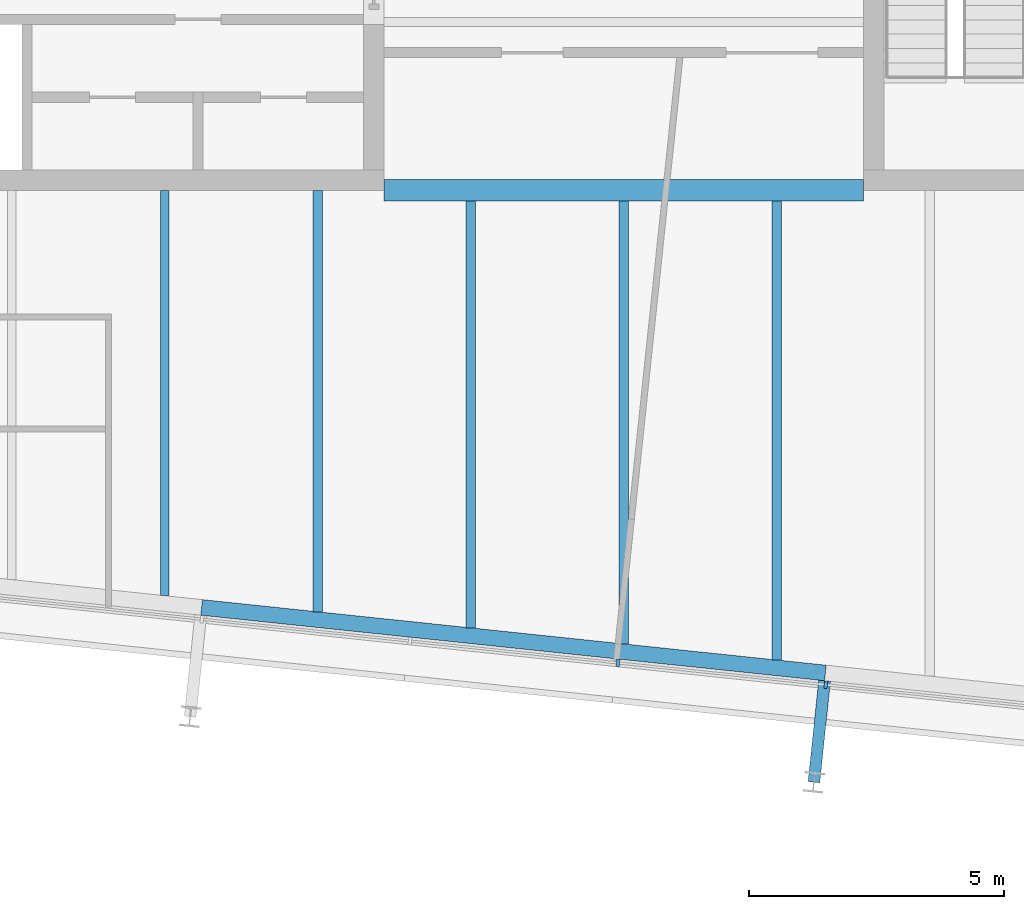
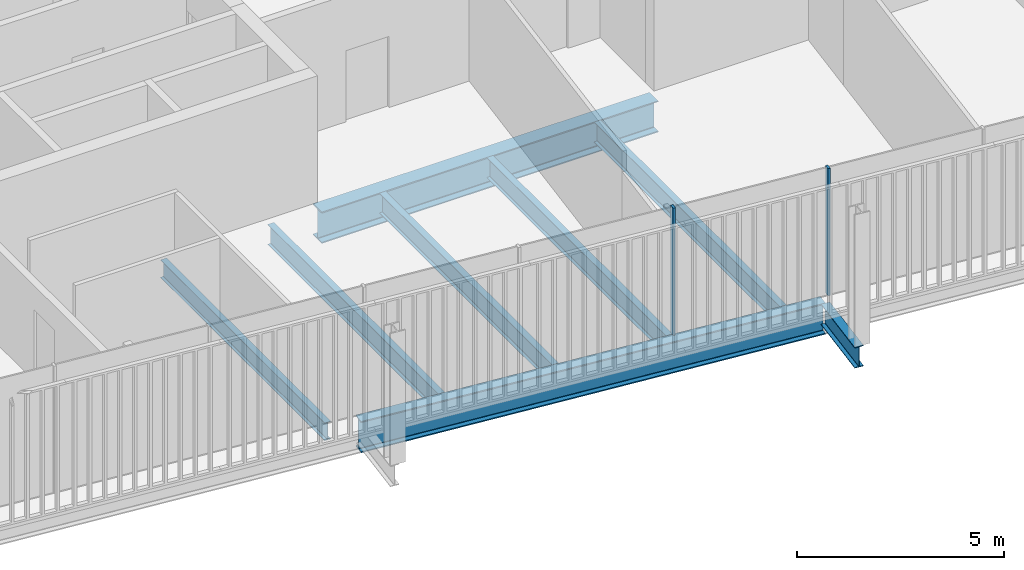
# One storey, part 5 of 20: 8 beams, 2 members, 1 element without a shape of its own.
"""IFC4 building model written with IfcOpenShell, lengths in metres."""

from ifc_helpers import new_model, si_unit, direction, frame, origin, origin_2d, place, context, subcontext, project, spatial, rectangle, i_section, extrude, material, layer, layer_set, material_profile, profile_set, type_object, element, aggregate, save


model = new_model("IFC4")

# Units and contexts
model_context = context("Model", 3, precision=1e-05, world=origin(), true_north=direction((0.0, 1.0)))
body_context = subcontext(model_context, "Body", "Model", "MODEL_VIEW")
ifc_project = project(units=[si_unit("LENGTHUNIT", "METRE"), si_unit("AREAUNIT", "SQUARE_METRE"), si_unit("VOLUMEUNIT", "CUBIC_METRE"), si_unit("PLANEANGLEUNIT", "RADIAN"), si_unit("MASSUNIT", "GRAM", prefix="KILO")], contexts=[model_context])

# Site, building, storey
site_placement = place(None, origin())
site = spatial("IfcSite", under=ifc_project, at=site_placement, CompositionType="ELEMENT")
building_placement = place(site_placement, origin())
building = spatial("IfcBuilding", under=site, at=building_placement, Name="Millrace Tower", CompositionType="ELEMENT")
storey_placement = place(building_placement, frame((0.0, 0.0, 322.60009765625)))
storey = spatial("IfcBuildingStorey", under=building, at=storey_placement, Name="L74", CompositionType="ELEMENT", Elevation=322.60009765625)

# Curtain wall, members
ifc_material_1 = material(Name="Aluminium and glass", Category="aluminium")
ifc_layer = layer(ifc_material_1, 0.14990234375)
ifc_layer_set = layer_set([ifc_layer], Name="Aluminium and glass")
curtain_wall_type = type_object("IfcCurtainWallType", Name="CW-1 office vision curtain wall", PredefinedType="NOTDEFINED", material=ifc_layer_set)
curtain_wall_placement = place(storey_placement, origin())
curtain_wall = element("IfcCurtainWall", 1, at=curtain_wall_placement, inside=storey, type_object=curtain_wall_type, Name="Curtain wall E-F02 L74", PredefinedType="NOTDEFINED")
ifc_material_2 = material(Name="Aluminium", Category="aluminium")
ifc_material_profile_1 = material_profile(ifc_material_2, rectangle(XDim=0.06494140625, YDim=0.14990234375, at=origin_2d()))
ifc_profile_set_1 = profile_set([ifc_material_profile_1], Name="Aluminium")
member_type = type_object("IfcMemberType", Name="CW-1 office vision curtain wall mullion", PredefinedType="MULLION", material=ifc_profile_set_1)
member_1_placement = place(storey_placement, frame((-0.11474609375, -18.567626953125, 0.139892578125), z_axis=(0.0, 0.0, 1.0), x_axis=(0.994521896217, -0.104528455196, 0.0)))
member_1 = element("IfcMember", 2, at=member_1_placement, type_object=member_type, Name="CW1 mullion E-F02.6", PredefinedType="MULLION", context=body_context, shape_type="SweptSolid", body=[
    extrude(rectangle(XDim=0.06494140625, YDim=0.14990234375, at=origin_2d()), origin(), (0.0, 0.0, 1.0), 3.760009765625),
])
member_2_placement = place(storey_placement, frame((3.962890625, -18.99609375, 0.139892578125), z_axis=(0.0, 0.0, 1.0), x_axis=(0.994521896217, -0.104528455196, 0.0)))
member_2 = element("IfcMember", 3, at=member_2_placement, type_object=member_type, Name="CW1 mullion E-F02.7", PredefinedType="MULLION", context=body_context, shape_type="SweptSolid", body=[
    extrude(rectangle(XDim=0.06494140625, YDim=0.14990234375, at=origin_2d()), origin(), (0.0, 0.0, 1.0), 3.760009765625),
])
aggregate(curtain_wall, [member_1, member_2])

# Beams
ifc_material_3 = material(Name="Steel ASTM A992 Grade 50", Category="steel")
ifc_material_profile_2 = material_profile(ifc_material_3, i_section(OverallWidth=0.1650390625, OverallDepth=0.52587890625, WebThickness=0.0087890625, FlangeThickness=0.011474609375, FilletRadius=0.0126953125, at=origin_2d()))
ifc_profile_set_2 = profile_set([ifc_material_profile_2], Name="Steel ASTM A992 Grade 50")
beam_type_1 = type_object("IfcBeamType", Name="Floor beam W21x44", PredefinedType="JOIST", material=ifc_profile_set_2)
beam_1_placement = place(storey_placement, frame((-9.0, -17.249267578125, -0.423095703125), z_axis=(0.0, 1.0, 0.0), x_axis=(-1.0, 0.0, 0.0)))
element("IfcBeam", 4, at=beam_1_placement, inside=storey, type_object=beam_type_1, Name="BM-E-L74-S1-S039", PredefinedType="JOIST", context=body_context, shape_type="SweptSolid", body=[
    extrude(i_section(OverallWidth=0.1650390625, OverallDepth=0.52587890625, WebThickness=0.0087890625, FlangeThickness=0.011474609375, FilletRadius=0.0126953125, at=origin_2d()), origin(), (0.0, 0.0, 1.0), 7.94921875),
])
ifc_material_4 = material(Name="Steel ASTM A992 Grade 50", Category="steel")
ifc_material_profile_3 = material_profile(ifc_material_4, i_section(OverallWidth=0.177978515625, OverallDepth=0.599365234375, WebThickness=0.010009765625, FlangeThickness=0.012939453125, FilletRadius=0.012939453125, at=origin_2d()))
ifc_profile_set_3 = profile_set([ifc_material_profile_3], Name="Steel ASTM A992 Grade 50")
beam_type_2 = type_object("IfcBeamType", Name="Floor beam W24x55", PredefinedType="JOIST", material=ifc_profile_set_3)
beam_2_placement = place(storey_placement, frame((-6.0, -17.564697265625, -0.459716796875), z_axis=(0.0, 1.0, 0.0), x_axis=(-1.0, 0.0, 0.0)))
element("IfcBeam", 5, at=beam_2_placement, inside=storey, type_object=beam_type_2, Name="BM-E-L74-S1-S041", PredefinedType="JOIST", context=body_context, shape_type="SweptSolid", body=[
    extrude(i_section(OverallWidth=0.177978515625, OverallDepth=0.599365234375, WebThickness=0.010009765625, FlangeThickness=0.012939453125, FilletRadius=0.012939453125, at=origin_2d()), origin(), (0.0, 0.0, 1.0), 8.2646484375),
])
beam_3_placement = place(storey_placement, frame((-3.0, -17.8798828125, -0.459716796875), z_axis=(0.0, 1.0, 0.0), x_axis=(-1.0, 0.0, 0.0)))
element("IfcBeam", 6, at=beam_3_placement, inside=storey, type_object=beam_type_2, Name="BM-E-L74-S1-S043", PredefinedType="JOIST", context=body_context, shape_type="SweptSolid", body=[
    extrude(i_section(OverallWidth=0.177978515625, OverallDepth=0.599365234375, WebThickness=0.010009765625, FlangeThickness=0.012939453125, FilletRadius=0.012939453125, at=origin_2d()), origin(), (0.0, 0.0, 1.0), 8.370361328125),
])
beam_4_placement = place(storey_placement, frame((0.0, -18.1953125, -0.459716796875), z_axis=(0.0, 1.0, 0.0), x_axis=(-1.0, 0.0, 0.0)))
element("IfcBeam", 7, at=beam_4_placement, inside=storey, type_object=beam_type_2, Name="BM-E-L74-S1-S045", PredefinedType="JOIST", context=body_context, shape_type="SweptSolid", body=[
    extrude(i_section(OverallWidth=0.177978515625, OverallDepth=0.599365234375, WebThickness=0.010009765625, FlangeThickness=0.012939453125, FilletRadius=0.012939453125, at=origin_2d()), origin(), (0.0, 0.0, 1.0), 8.685791015625),
])
beam_5_placement = place(storey_placement, frame((3.0, -18.510498046875, -0.459716796875), z_axis=(0.0, 1.0, 0.0), x_axis=(-1.0, 0.0, 0.0)))
element("IfcBeam", 8, at=beam_5_placement, inside=storey, type_object=beam_type_2, Name="BM-E-L74-S1-S047", PredefinedType="JOIST", context=body_context, shape_type="SweptSolid", body=[
    extrude(i_section(OverallWidth=0.177978515625, OverallDepth=0.599365234375, WebThickness=0.010009765625, FlangeThickness=0.012939453125, FilletRadius=0.012939453125, at=origin_2d()), origin(), (0.0, 0.0, 1.0), 9.0009765625),
])
ifc_material_5 = material(Name="Steel ASTM A992 Grade 50", Category="steel")
ifc_material_profile_4 = material_profile(ifc_material_5, i_section(OverallWidth=0.419189453125, OverallDepth=0.927001953125, WebThickness=0.019287109375, FlangeThickness=0.031982421875, FilletRadius=0.024169921875, at=origin_2d()))
ifc_profile_set_4 = profile_set([ifc_material_profile_4], Name="Steel ASTM A992 Grade 50")
beam_type_3 = type_object("IfcBeamType", Name="Girder short span W36x231", PredefinedType="BEAM", material=ifc_profile_set_4)
beam_6_placement = place(storey_placement, frame((-4.699951171875, -9.300048828125, -0.62353515625), z_axis=(1.0, 0.0, 0.0), x_axis=(0.0, 1.0, 0.0)))
element("IfcBeam", 9, at=beam_6_placement, inside=storey, type_object=beam_type_3, Name="BM-E-L74-S1-G059", PredefinedType="BEAM", context=body_context, shape_type="SweptSolid", body=[
    extrude(i_section(OverallWidth=0.419189453125, OverallDepth=0.927001953125, WebThickness=0.019287109375, FlangeThickness=0.031982421875, FilletRadius=0.024169921875, at=origin_2d()), origin(), (0.0, 0.0, 1.0), 9.39990234375),
])
ifc_material_6 = material(Name="Steel ASTM A992 Grade 50", Category="steel")
ifc_material_profile_5 = material_profile(ifc_material_6, i_section(OverallWidth=0.23046875, OverallDepth=0.6171875, WebThickness=0.01318359375, FlangeThickness=0.022216796875, FilletRadius=0.012939453125, at=origin_2d()))
ifc_profile_set_5 = profile_set([ifc_material_profile_5], Name="Steel ASTM A992 Grade 50")
beam_type_4 = type_object("IfcBeamType", Name="Link beam W24x94", PredefinedType="BEAM", material=ifc_profile_set_5)
beam_7_placement = place(storey_placement, frame((3.938232421875, -18.918212890625, -0.46875), z_axis=(-0.104494148666, -0.99452550138, 0.0), x_axis=(0.99452550138, -0.104494148666, 0.0)))
element("IfcBeam", 10, at=beam_7_placement, inside=storey, type_object=beam_type_4, Name="LNK-E-L74-S1-14", PredefinedType="BEAM", context=body_context, shape_type="SweptSolid", body=[
    extrude(i_section(OverallWidth=0.23046875, OverallDepth=0.6171875, WebThickness=0.01318359375, FlangeThickness=0.022216796875, FilletRadius=0.012939453125, at=origin_2d()), origin(), (0.0, 0.0, 1.0), 2.0),
])
ifc_material_7 = material(Name="Steel ASTM A992 Grade 50", Category="steel")
ifc_material_profile_6 = material_profile(ifc_material_7, i_section(OverallWidth=0.307373046875, OverallDepth=0.927001953125, WebThickness=0.01953125, FlangeThickness=0.031982421875, FilletRadius=0.01904296875, at=origin_2d()))
ifc_profile_set_6 = profile_set([ifc_material_profile_6], Name="Steel ASTM A992 Grade 50")
beam_type_5 = type_object("IfcBeamType", Name="Ring beam medium span W36x194", PredefinedType="SPANDREL", material=ifc_profile_set_6)
beam_8_placement = place(storey_placement, frame((3.954345703125, -18.765380859375, -0.62353515625), z_axis=(-0.994522406476, 0.104523600289, 0.0), x_axis=(-0.104523600289, -0.994522406476, 0.0)))
element("IfcBeam", 11, at=beam_8_placement, inside=storey, type_object=beam_type_5, Name="RNG-E-L74-S1-14", PredefinedType="SPANDREL", context=body_context, shape_type="SweptSolid", body=[
    extrude(i_section(OverallWidth=0.307373046875, OverallDepth=0.927001953125, WebThickness=0.01953125, FlangeThickness=0.031982421875, FilletRadius=0.01904296875, at=origin_2d()), origin(), (0.0, 0.0, 1.0), 12.300048828125),
])

save(model, "model.ifc")
